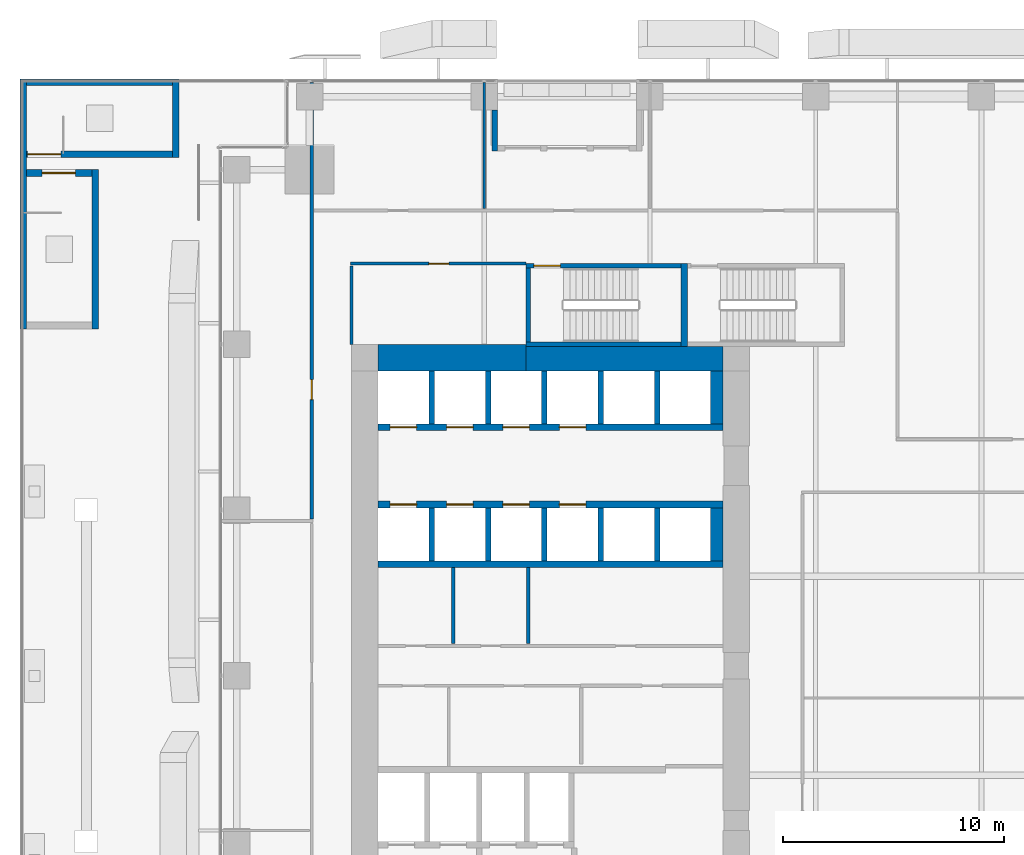
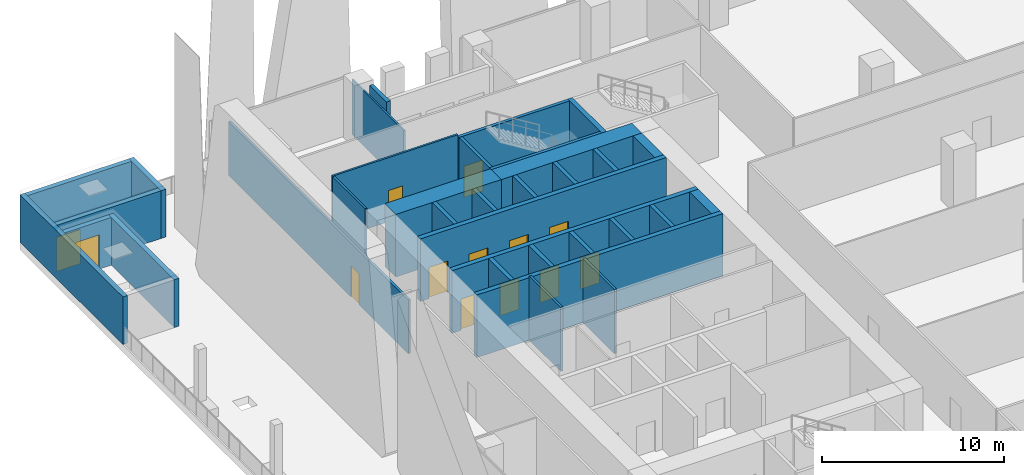
# One storey, part 37 of 46: 34 walls, 13 doors, 13 openings.
"""IFC4 building model written with IfcOpenShell, lengths in metres."""

from ifc_helpers import new_model, si_unit, direction, frame, frame_2d, origin, place, context, subcontext, project, spatial, rectangle, extrude, source, transform, mapped, material, layer, layer_set, type_object, element, fill, save


model = new_model("IFC4")

# Units and contexts
model_context = context("Model", 3, precision=1e-05, world=origin(), true_north=direction((0.0, 1.0)))
body_context = subcontext(model_context, "Body", "Model", "MODEL_VIEW")
ifc_project = project(units=[si_unit("LENGTHUNIT", "METRE"), si_unit("AREAUNIT", "SQUARE_METRE"), si_unit("VOLUMEUNIT", "CUBIC_METRE"), si_unit("PLANEANGLEUNIT", "RADIAN"), si_unit("MASSUNIT", "GRAM", prefix="KILO")], contexts=[model_context])

# Site, building, storey
site_placement = place(None, origin())
site = spatial("IfcSite", under=ifc_project, at=site_placement, CompositionType="ELEMENT")
building_placement = place(site_placement, origin())
building = spatial("IfcBuilding", under=site, at=building_placement, Name="Khomas Fold Tower", CompositionType="ELEMENT")
storey_placement = place(building_placement, frame((0.0, 0.0, 33.0)))
storey = spatial("IfcBuildingStorey", under=building, at=storey_placement, Name="L06", CompositionType="ELEMENT", Elevation=33.0)

# Walls
ifc_material_1 = material(Name="Concrete C70/85", Category="concrete")
ifc_layer_1 = layer(ifc_material_1, 1.199951171875)
ifc_layer_set_1 = layer_set([ifc_layer_1], Name="Concrete C70/85")
wall_type_1 = type_object("IfcWallType", Name="Core wall 1200", PredefinedType="SHEAR", material=ifc_layer_set_1)
shared_shape_1 = source(origin(), body_context, "Body", "SweptSolid", [
    extrude(rectangle(XDim=6.699951171875, YDim=1.199951171875, at=frame_2d((3.35009765625, 0.0))), origin(), (0.0, 0.0, 1.0), 4.199951171875),
])
wall_1_placement = place(storey_placement, frame((7.199951171875, 41.39990234375, 0.0), z_axis=(0.0, 0.0, 1.0), x_axis=(1.0, 0.0, 0.0)))
element("IfcWall", 1, at=wall_1_placement, inside=storey, type_object=wall_type_1, Name="Core wall CW-L-N-B2", PredefinedType="SHEAR", context=body_context, shape_type="MappedRepresentation", body=[
    mapped(shared_shape_1, transform((0.0, 0.0, 0.0))),
])
ifc_material_2 = material(Name="Concrete C70/85", Category="concrete")
ifc_layer_2 = layer(ifc_material_2, 1.10009765625)
ifc_layer_set_2 = layer_set([ifc_layer_2], Name="Concrete C70/85")
wall_type_2 = type_object("IfcWallType", Name="Core wall 1100", PredefinedType="SHEAR", material=ifc_layer_set_2)
shared_shape_2 = source(origin(), body_context, "Body", "SweptSolid", [
    extrude(rectangle(XDim=8.900146484375, YDim=1.10009765625, at=frame_2d((4.4501953125, 0.0))), origin(), (0.0, 0.0, 1.0), 4.199951171875),
])
wall_2_placement = place(storey_placement, frame((13.89990234375, 41.35009765625, 0.0), z_axis=(0.0, 0.0, 1.0), x_axis=(1.0, 0.0, 0.0)))
element("IfcWall", 2, at=wall_2_placement, inside=storey, type_object=wall_type_2, Name="Core wall CW-L-N-B2-1", PredefinedType="SHEAR", context=body_context, shape_type="MappedRepresentation", body=[
    mapped(shared_shape_2, transform((0.0, 0.0, 0.0))),
])

# Wall, opening, door
ifc_material_3 = material(Name="Concrete C50/60", Category="concrete")
ifc_layer_3 = layer(ifc_material_3, 0.199951171875)
ifc_layer_set_3 = layer_set([ifc_layer_3], Name="Concrete C50/60")
wall_type_3 = type_object("IfcWallType", Name="Stair wall 200", PredefinedType="SHEAR", material=ifc_layer_set_3)
shared_shape_3 = source(origin(), body_context, "Body", "SweptSolid", [
    extrude(rectangle(XDim=7.0, YDim=0.199951171875, at=frame_2d((3.5, 0.0))), origin(), (0.0, 0.0, 1.0), 4.199951171875),
])
wall_3_placement = place(storey_placement, frame((13.89990234375, 45.550048828125, 0.0), z_axis=(0.0, 0.0, 1.0), x_axis=(1.0, 0.0, 0.0)))
wall_3 = element("IfcWall", 3, at=wall_3_placement, inside=storey, type_object=wall_type_3, Name="Stair wall SW-ST1-N", PredefinedType="SHEAR", context=body_context, shape_type="MappedRepresentation", body=[
    mapped(shared_shape_3, transform((0.0, 0.0, 0.0))),
])
shared_shape_4 = source(origin(), body_context, "Body", "SweptSolid", [
    extrude(rectangle(XDim=1.199951171875, YDim=2.10009765625, at=frame_2d((0.60009765625, 1.050048828125))), frame((0.0, 0.10986328125, 0.0), z_axis=(0.0, -1.0, 0.0), x_axis=(1.0, 0.0, 0.0)), (0.0, 0.0, 1.0), 0.219970703125),
])
opening_1_placement = place(wall_3_placement, frame((0.35009765625, 0.0, 0.0)))
opening_1 = element("IfcOpeningElement", 4, at=opening_1_placement, cuts=wall_3, Name="Opening SD-ST1", PredefinedType="OPENING", context=body_context, shape_type="MappedRepresentation", body=[
    mapped(shared_shape_4, transform((0.0, 0.0, 0.0))),
])
ifc_material_4 = material(Name="Steel door leaf", Category="steel")
door_type_1 = type_object("IfcDoorType", Name="Stair door 1200x2100 left-hand", OperationType="SINGLE_SWING_LEFT", PredefinedType="DOOR", material=ifc_material_4)
shared_shape_5 = source(origin(), body_context, "Body", "SweptSolid", [
    extrude(rectangle(XDim=1.199951171875, YDim=2.10009765625, at=frame_2d((0.60009765625, 1.050048828125))), frame((0.0, 0.02490234375, 0.0), z_axis=(0.0, -1.0, 0.0), x_axis=(1.0, 0.0, 0.0)), (0.0, 0.0, 1.0), 0.050048828125),
])
door_1_placement = place(opening_1_placement, origin())
door_1 = element("IfcDoor", 5, at=door_1_placement, inside=storey, type_object=door_type_1, Name="Stair door", OperationType="SINGLE_SWING_LEFT", OverallHeight=2.10009765625, OverallWidth=1.199951171875, PredefinedType="DOOR", context=body_context, shape_type="MappedRepresentation", body=[
    mapped(shared_shape_5, transform((0.0, 0.0, 0.0))),
])
fill(opening_1, door_1)

# Walls
wall_4_placement = place(storey_placement, frame((13.89990234375, 42.0, 0.0), z_axis=(0.0, 0.0, 1.0), x_axis=(1.0, 0.0, 0.0)))
element("IfcWall", 6, at=wall_4_placement, inside=storey, type_object=wall_type_3, Name="Stair wall SW-ST1-S", PredefinedType="SHEAR", context=body_context, shape_type="MappedRepresentation", body=[
    mapped(shared_shape_3, transform((0.0, 0.0, 0.0))),
])
ifc_material_5 = material(Name="Concrete C50/60", Category="concrete")
ifc_layer_4 = layer(ifc_material_5, 0.300048828125)
ifc_layer_set_4 = layer_set([ifc_layer_4], Name="Concrete C50/60")
wall_type_4 = type_object("IfcWallType", Name="Stair wall 300", PredefinedType="SHEAR", material=ifc_layer_set_4)
shared_shape_6 = source(origin(), body_context, "Body", "SweptSolid", [
    extrude(rectangle(XDim=3.75, YDim=0.300048828125, at=frame_2d((1.875, 0.0))), origin(), (0.0, 0.0, 1.0), 4.199951171875),
])
wall_5_placement = place(storey_placement, frame((21.050048828125, 41.89990234375, 0.0), z_axis=(0.0, 0.0, 1.0), x_axis=(0.0, 1.0, 0.0)))
element("IfcWall", 7, at=wall_5_placement, inside=storey, type_object=wall_type_4, Name="Stair wall SW-ST1-E", PredefinedType="SHEAR", context=body_context, shape_type="MappedRepresentation", body=[
    mapped(shared_shape_6, transform((0.0, 0.0, 0.0))),
])
shared_shape_7 = source(origin(), body_context, "Body", "SweptSolid", [
    extrude(rectangle(XDim=3.349853515625, YDim=0.199951171875, at=frame_2d((1.6748046875, 0.0))), origin(), (0.0, 0.0, 1.0), 4.199951171875),
])
wall_6_placement = place(storey_placement, frame((14.0, 42.10009765625, 0.0), z_axis=(0.0, 0.0, 1.0), x_axis=(0.0, 1.0, 0.0)))
element("IfcWall", 8, at=wall_6_placement, inside=storey, type_object=wall_type_3, Name="Stair wall SW-ST1-W", PredefinedType="SHEAR", context=body_context, shape_type="MappedRepresentation", body=[
    mapped(shared_shape_7, transform((0.0, 0.0, 0.0))),
])
ifc_material_6 = material(Name="Concrete C50/60", Category="concrete")
ifc_layer_5 = layer(ifc_material_6, 0.300048828125)
ifc_layer_set_5 = layer_set([ifc_layer_5], Name="Concrete C50/60")
wall_type_5 = type_object("IfcWallType", Name="Shaft wall 300", PredefinedType="STANDARD", material=ifc_layer_set_5)
shared_shape_8 = source(origin(), body_context, "Body", "SweptSolid", [
    extrude(rectangle(XDim=15.60009765625, YDim=0.300048828125, at=frame_2d((7.800048828125, 0.0))), origin(), (0.0, 0.0, 1.0), 4.199951171875),
])
wall_7_placement = place(storey_placement, frame((7.199951171875, 32.050048828125, 0.0), z_axis=(0.0, 0.0, 1.0), x_axis=(1.0, 0.0, 0.0)))
element("IfcWall", 9, at=wall_7_placement, inside=storey, type_object=wall_type_5, Name="Core wall SW-HRN-B", PredefinedType="STANDARD", context=body_context, shape_type="MappedRepresentation", body=[
    mapped(shared_shape_8, transform((0.0, 0.0, 0.0))),
])

# Wall, openings, doors
wall_8_placement = place(storey_placement, frame((7.199951171875, 38.25, 0.0), z_axis=(0.0, 0.0, 1.0), x_axis=(1.0, 0.0, 0.0)))
wall_8 = element("IfcWall", 10, at=wall_8_placement, inside=storey, type_object=wall_type_5, Name="Core wall SW-LRN-F", PredefinedType="STANDARD", context=body_context, shape_type="MappedRepresentation", body=[
    mapped(shared_shape_8, transform((0.0, 0.0, 0.0))),
])
shared_shape_9 = source(origin(), body_context, "Body", "SweptSolid", [
    extrude(rectangle(XDim=1.199951171875, YDim=2.10009765625, at=frame_2d((0.60009765625, 1.050048828125))), frame((0.0, 0.159912109375, 0.0), z_axis=(0.0, -1.0, 0.0), x_axis=(1.0, 0.0, 0.0)), (0.0, 0.0, 1.0), 0.320068359375),
])
opening_2_placement = place(wall_8_placement, frame((0.550048828125, 0.0, 0.0)))
opening_2 = element("IfcOpeningElement", 11, at=opening_2_placement, cuts=wall_8, Name="Opening LD-LR5", PredefinedType="OPENING", context=body_context, shape_type="MappedRepresentation", body=[
    mapped(shared_shape_9, transform((0.0, 0.0, 0.0))),
])
opening_3_placement = place(wall_8_placement, frame((3.10009765625, 0.0, 0.0)))
opening_3 = element("IfcOpeningElement", 12, at=opening_3_placement, cuts=wall_8, Name="Opening LD-LR6", PredefinedType="OPENING", context=body_context, shape_type="MappedRepresentation", body=[
    mapped(shared_shape_9, transform((0.0, 0.0, 0.0))),
])
opening_4_placement = place(wall_8_placement, frame((5.64990234375, 0.0, 0.0)))
opening_4 = element("IfcOpeningElement", 13, at=opening_4_placement, cuts=wall_8, Name="Opening LD-LR7", PredefinedType="OPENING", context=body_context, shape_type="MappedRepresentation", body=[
    mapped(shared_shape_9, transform((0.0, 0.0, 0.0))),
])
opening_5_placement = place(wall_8_placement, frame((8.199951171875, 0.0, 0.0)))
opening_5 = element("IfcOpeningElement", 14, at=opening_5_placement, cuts=wall_8, Name="Opening LD-LR8", PredefinedType="OPENING", context=body_context, shape_type="MappedRepresentation", body=[
    mapped(shared_shape_9, transform((0.0, 0.0, 0.0))),
])
ifc_material_7 = material(Name="Steel door leaf", Category="steel")
door_type_2 = type_object("IfcDoorType", Name="Landing door 1200x2100", OperationType="DOUBLE_DOOR_SLIDING", PredefinedType="DOOR", material=ifc_material_7)
door_2_placement = place(opening_2_placement, origin())
door_2 = element("IfcDoor", 15, at=door_2_placement, inside=storey, type_object=door_type_2, Name="Lift landing door", OperationType="DOUBLE_DOOR_SLIDING", OverallHeight=2.10009765625, OverallWidth=1.199951171875, PredefinedType="DOOR", context=body_context, shape_type="MappedRepresentation", body=[
    mapped(shared_shape_5, transform((0.0, 0.0, 0.0))),
])
fill(opening_2, door_2)
door_3_placement = place(opening_3_placement, origin())
door_3 = element("IfcDoor", 16, at=door_3_placement, inside=storey, type_object=door_type_2, Name="Lift landing door", OperationType="DOUBLE_DOOR_SLIDING", OverallHeight=2.10009765625, OverallWidth=1.199951171875, PredefinedType="DOOR", context=body_context, shape_type="MappedRepresentation", body=[
    mapped(shared_shape_5, transform((0.0, 0.0, 0.0))),
])
fill(opening_3, door_3)
door_4_placement = place(opening_4_placement, origin())
door_4 = element("IfcDoor", 17, at=door_4_placement, inside=storey, type_object=door_type_2, Name="Lift landing door", OperationType="DOUBLE_DOOR_SLIDING", OverallHeight=2.10009765625, OverallWidth=1.199951171875, PredefinedType="DOOR", context=body_context, shape_type="MappedRepresentation", body=[
    mapped(shared_shape_5, transform((0.0, 0.0, 0.0))),
])
fill(opening_4, door_4)
door_5_placement = place(opening_5_placement, origin())
door_5 = element("IfcDoor", 18, at=door_5_placement, inside=storey, type_object=door_type_2, Name="Lift landing door", OperationType="DOUBLE_DOOR_SLIDING", OverallHeight=2.10009765625, OverallWidth=1.199951171875, PredefinedType="DOOR", context=body_context, shape_type="MappedRepresentation", body=[
    mapped(shared_shape_5, transform((0.0, 0.0, 0.0))),
])
fill(opening_5, door_5)

wall_9_placement = place(storey_placement, frame((7.199951171875, 34.75, 0.0), z_axis=(0.0, 0.0, 1.0), x_axis=(1.0, 0.0, 0.0)))
wall_9 = element("IfcWall", 19, at=wall_9_placement, inside=storey, type_object=wall_type_5, Name="Core wall SW-LRS-F", PredefinedType="STANDARD", context=body_context, shape_type="MappedRepresentation", body=[
    mapped(shared_shape_8, transform((0.0, 0.0, 0.0))),
])
opening_6_placement = place(wall_9_placement, frame((0.550048828125, 0.0, 0.0)))
opening_6 = element("IfcOpeningElement", 20, at=opening_6_placement, cuts=wall_9, Name="Opening LD-LR1", PredefinedType="OPENING", context=body_context, shape_type="MappedRepresentation", body=[
    mapped(shared_shape_9, transform((0.0, 0.0, 0.0))),
])
opening_7_placement = place(wall_9_placement, frame((3.10009765625, 0.0, 0.0)))
opening_7 = element("IfcOpeningElement", 21, at=opening_7_placement, cuts=wall_9, Name="Opening LD-LR2", PredefinedType="OPENING", context=body_context, shape_type="MappedRepresentation", body=[
    mapped(shared_shape_9, transform((0.0, 0.0, 0.0))),
])
opening_8_placement = place(wall_9_placement, frame((5.64990234375, 0.0, 0.0)))
opening_8 = element("IfcOpeningElement", 22, at=opening_8_placement, cuts=wall_9, Name="Opening LD-LR3", PredefinedType="OPENING", context=body_context, shape_type="MappedRepresentation", body=[
    mapped(shared_shape_9, transform((0.0, 0.0, 0.0))),
])
opening_9_placement = place(wall_9_placement, frame((8.199951171875, 0.0, 0.0)))
opening_9 = element("IfcOpeningElement", 23, at=opening_9_placement, cuts=wall_9, Name="Opening LD-LR4", PredefinedType="OPENING", context=body_context, shape_type="MappedRepresentation", body=[
    mapped(shared_shape_9, transform((0.0, 0.0, 0.0))),
])
door_6_placement = place(opening_6_placement, origin())
door_6 = element("IfcDoor", 24, at=door_6_placement, inside=storey, type_object=door_type_2, Name="Lift landing door", OperationType="DOUBLE_DOOR_SLIDING", OverallHeight=2.10009765625, OverallWidth=1.199951171875, PredefinedType="DOOR", context=body_context, shape_type="MappedRepresentation", body=[
    mapped(shared_shape_5, transform((0.0, 0.0, 0.0))),
])
fill(opening_6, door_6)
door_7_placement = place(opening_7_placement, origin())
door_7 = element("IfcDoor", 25, at=door_7_placement, inside=storey, type_object=door_type_2, Name="Lift landing door", OperationType="DOUBLE_DOOR_SLIDING", OverallHeight=2.10009765625, OverallWidth=1.199951171875, PredefinedType="DOOR", context=body_context, shape_type="MappedRepresentation", body=[
    mapped(shared_shape_5, transform((0.0, 0.0, 0.0))),
])
fill(opening_7, door_7)
door_8_placement = place(opening_8_placement, origin())
door_8 = element("IfcDoor", 26, at=door_8_placement, inside=storey, type_object=door_type_2, Name="Lift landing door", OperationType="DOUBLE_DOOR_SLIDING", OverallHeight=2.10009765625, OverallWidth=1.199951171875, PredefinedType="DOOR", context=body_context, shape_type="MappedRepresentation", body=[
    mapped(shared_shape_5, transform((0.0, 0.0, 0.0))),
])
fill(opening_8, door_8)
door_9_placement = place(opening_9_placement, origin())
door_9 = element("IfcDoor", 27, at=door_9_placement, inside=storey, type_object=door_type_2, Name="Lift landing door", OperationType="DOUBLE_DOOR_SLIDING", OverallHeight=2.10009765625, OverallWidth=1.199951171875, PredefinedType="DOOR", context=body_context, shape_type="MappedRepresentation", body=[
    mapped(shared_shape_5, transform((0.0, 0.0, 0.0))),
])
fill(opening_9, door_9)

# Walls
ifc_material_8 = material(Name="Concrete C50/60", Category="concrete")
ifc_layer_6 = layer(ifc_material_8, 0.25)
ifc_layer_set_6 = layer_set([ifc_layer_6], Name="Concrete C50/60")
wall_type_6 = type_object("IfcWallType", Name="Shaft wall 250", PredefinedType="STANDARD", material=ifc_layer_set_6)
shared_shape_10 = source(origin(), body_context, "Body", "SweptSolid", [
    extrude(rectangle(XDim=2.400146484375, YDim=0.25, at=frame_2d((1.2001953125, 0.0))), origin(), (0.0, 0.0, 1.0), 4.199951171875),
])
for number, where, z_axis, x_axis, name in (
    (28, (9.625, 38.39990234375, 0.0), (0.0, 0.0, 1.0), (0.0, 1.0, 0.0), "Core wall SW-LRN-P1"),
    (29, (12.175048828125, 38.39990234375, 0.0), (0.0, 0.0, 1.0), (0.0, 1.0, 0.0), "Core wall SW-LRN-P2"),
    (30, (14.72509765625, 38.39990234375, 0.0), (0.0, 0.0, 1.0), (0.0, 1.0, 0.0), "Core wall SW-LRN-P3"),
    (31, (17.27490234375, 38.39990234375, 0.0), (0.0, 0.0, 1.0), (0.0, 1.0, 0.0), "Core wall SW-LRN-P4"),
    (32, (19.824951171875, 38.39990234375, 0.0), (0.0, 0.0, 1.0), (0.0, 1.0, 0.0), "Core wall SW-LRN-P5"),
    (33, (9.625, 32.199951171875, 0.0), (0.0, 0.0, 1.0), (0.0, 1.0, 0.0), "Core wall SW-LRS-P1"),
    (34, (12.175048828125, 32.199951171875, 0.0), (0.0, 0.0, 1.0), (0.0, 1.0, 0.0), "Core wall SW-LRS-P2"),
    (35, (14.72509765625, 32.199951171875, 0.0), (0.0, 0.0, 1.0), (0.0, 1.0, 0.0), "Core wall SW-LRS-P3"),
    (36, (17.27490234375, 32.199951171875, 0.0), (0.0, 0.0, 1.0), (0.0, 1.0, 0.0), "Core wall SW-LRS-P4"),
    (37, (19.824951171875, 32.199951171875, 0.0), (0.0, 0.0, 1.0), (0.0, 1.0, 0.0), "Core wall SW-LRS-P5"),
):
    element("IfcWall", number, at=place(storey_placement, frame(where, z_axis=z_axis, x_axis=x_axis)), inside=storey, type_object=wall_type_6, Name=name, PredefinedType="STANDARD", context=body_context, shape_type="MappedRepresentation", body=[
        mapped(shared_shape_10, transform((0.0, 0.0, 0.0))),
    ])
ifc_material_9 = material(Name="Concrete C50/60", Category="concrete")
ifc_layer_7 = layer(ifc_material_9, 0.550048828125)
ifc_layer_set_7 = layer_set([ifc_layer_7], Name="Concrete C50/60")
wall_type_7 = type_object("IfcWallType", Name="Shaft wall 550", PredefinedType="STANDARD", material=ifc_layer_set_7)
shared_shape_11 = source(origin(), body_context, "Body", "SweptSolid", [
    extrude(rectangle(XDim=2.400146484375, YDim=0.550048828125, at=frame_2d((1.2001953125, 0.0))), origin(), (0.0, 0.0, 1.0), 4.199951171875),
])
for number, where, z_axis, x_axis, name in (
    (38, (22.52490234375, 38.39990234375, 0.0), (0.0, 0.0, 1.0), (0.0, 1.0, 0.0), "Core wall SW-LRN-PE"),
    (39, (22.52490234375, 32.199951171875, 0.0), (0.0, 0.0, 1.0), (0.0, 1.0, 0.0), "Core wall SW-LRS-PE"),
):
    element("IfcWall", number, at=place(storey_placement, frame(where, z_axis=z_axis, x_axis=x_axis)), inside=storey, type_object=wall_type_7, Name=name, PredefinedType="STANDARD", context=body_context, shape_type="MappedRepresentation", body=[
        mapped(shared_shape_11, transform((0.0, 0.0, 0.0))),
    ])
ifc_material_10 = material(Name="Natural stone", Category="masonry")
ifc_layer_8 = layer(ifc_material_10, 0.0400390625)
ifc_material_11 = material(Name="Mineral wool insulation", Category="insulation")
ifc_layer_9 = layer(ifc_material_11, 0.10009765625)
ifc_material_12 = material(Name="Masonry", Category="masonry")
ifc_layer_10 = layer(ifc_material_12, 0.110107421875)
ifc_layer_set_8 = layer_set([ifc_layer_8, ifc_layer_9, ifc_layer_10], Name="Stone-faced insulated masonry")
wall_type_8 = type_object("IfcWallType", Name="BL-Balcony wall", PredefinedType="SOLIDWALL", material=ifc_layer_set_8)
shared_shape_12 = source(origin(), body_context, "Body", "SweptSolid", [
    extrude(rectangle(XDim=1.85009765625, YDim=0.25, at=frame_2d((0.925048828125, 0.0))), origin(), (0.0, 0.0, 1.0), 3.89990234375),
])
wall_10_placement = place(storey_placement, frame((12.47509765625, 52.60009765625, 0.0), z_axis=(0.0, 0.0, 1.0), x_axis=(0.0, -1.0, 0.0)))
element("IfcWall", 40, at=wall_10_placement, inside=storey, type_object=wall_type_8, Name="Balcony return wall BAL-L06-N1-lo", PredefinedType="SOLIDWALL", context=body_context, shape_type="MappedRepresentation", body=[
    mapped(shared_shape_12, transform((0.0, 0.0, 0.0))),
])

# Wall, opening, door
ifc_material_13 = material(Name="Concrete C40/50", Category="concrete")
ifc_layer_11 = layer(ifc_material_13, 0.300048828125)
ifc_layer_set_9 = layer_set([ifc_layer_11], Name="Concrete C40/50")
wall_type_9 = type_object("IfcWallType", Name="Stair head house wall PD-HW", PredefinedType="SOLIDWALL", material=ifc_layer_set_9)
shared_shape_13 = source(origin(), body_context, "Body", "SweptSolid", [
    extrude(rectangle(XDim=6.599853515625, YDim=0.300048828125, at=frame_2d((3.2998046875, 0.0))), origin(), (0.0, 0.0, 1.0), 3.199951171875),
])
wall_11_placement = place(storey_placement, frame((-8.699951171875, 50.60009765625, 0.0), z_axis=(0.0, 0.0, 1.0), x_axis=(1.0, 0.0, 0.0)))
wall_11 = element("IfcWall", 41, at=wall_11_placement, inside=storey, type_object=wall_type_9, Name="Stair head house wall", PredefinedType="SOLIDWALL", context=body_context, shape_type="MappedRepresentation", body=[
    mapped(shared_shape_13, transform((0.0, 0.0, 0.0))),
])
shared_shape_14 = source(origin(), body_context, "Body", "SweptSolid", [
    extrude(rectangle(XDim=1.5, YDim=2.300048828125, at=frame_2d((0.75, 1.14990234375))), frame((0.0, 0.159912109375, 0.0), z_axis=(0.0, -1.0, 0.0), x_axis=(1.0, 0.0, 0.0)), (0.0, 0.0, 1.0), 0.320068359375),
])
opening_10_placement = place(wall_11_placement, frame((0.050048828125, 0.0, 0.0)))
opening_10 = element("IfcOpeningElement", 42, at=opening_10_placement, cuts=wall_11, Name="Opening R-PS7", PredefinedType="OPENING", context=body_context, shape_type="MappedRepresentation", body=[
    mapped(shared_shape_14, transform((0.0, 0.0, 0.0))),
])
ifc_material_14 = material(Name="Aluminium framed glazing", Category="aluminium")
door_type_3 = type_object("IfcDoorType", Name="Roof garden door 1700 x 2300", OperationType="DOUBLE_DOOR_SINGLE_SWING", PredefinedType="DOOR", material=ifc_material_14)
shared_shape_15 = source(origin(), body_context, "Body", "SweptSolid", [
    extrude(rectangle(XDim=1.5, YDim=2.300048828125, at=frame_2d((0.75, 1.14990234375))), frame((0.0, 0.02490234375, 0.0), z_axis=(0.0, -1.0, 0.0), x_axis=(1.0, 0.0, 0.0)), (0.0, 0.0, 1.0), 0.050048828125),
])
door_10_placement = place(opening_10_placement, origin())
door_10 = element("IfcDoor", 43, at=door_10_placement, inside=storey, type_object=door_type_3, Name="Roof exit PS7", OperationType="DOUBLE_DOOR_SINGLE_SWING", OverallHeight=2.300048828125, OverallWidth=1.5, PredefinedType="DOOR", context=body_context, shape_type="MappedRepresentation", body=[
    mapped(shared_shape_15, transform((0.0, 0.0, 0.0))),
])
fill(opening_10, door_10)

# Walls
wall_12_placement = place(storey_placement, frame((-2.10009765625, 53.85009765625, 0.0), z_axis=(0.0, 0.0, 1.0), x_axis=(-1.0, 0.0, 0.0)))
element("IfcWall", 44, at=wall_12_placement, inside=storey, type_object=wall_type_9, Name="Stair head house wall", PredefinedType="SOLIDWALL", context=body_context, shape_type="MappedRepresentation", body=[
    mapped(shared_shape_13, transform((0.0, 0.0, 0.0))),
])
shared_shape_16 = source(origin(), body_context, "Body", "SweptSolid", [
    extrude(rectangle(XDim=3.550048828125, YDim=0.300048828125, at=frame_2d((1.77490234375, 0.0))), origin(), (0.0, 0.0, 1.0), 3.199951171875),
])
wall_13_placement = place(storey_placement, frame((-1.949951171875, 50.449951171875, 0.0), z_axis=(0.0, 0.0, 1.0), x_axis=(0.0, 1.0, 0.0)))
element("IfcWall", 45, at=wall_13_placement, inside=storey, type_object=wall_type_9, Name="Stair head house wall", PredefinedType="SOLIDWALL", context=body_context, shape_type="MappedRepresentation", body=[
    mapped(shared_shape_16, transform((0.0, 0.0, 0.0))),
])
shared_shape_17 = source(origin(), body_context, "Body", "SweptSolid", [
    extrude(rectangle(XDim=11.300048828125, YDim=0.300048828125, at=frame_2d((5.64990234375, 0.0))), origin(), (0.0, 0.0, 1.0), 3.199951171875),
])
wall_14_placement = place(storey_placement, frame((-8.85009765625, 54.0, 0.0), z_axis=(0.0, 0.0, 1.0), x_axis=(0.0, -1.0, 0.0)))
element("IfcWall", 46, at=wall_14_placement, inside=storey, type_object=wall_type_9, Name="Stair head house wall", PredefinedType="SOLIDWALL", context=body_context, shape_type="MappedRepresentation", body=[
    mapped(shared_shape_17, transform((0.0, 0.0, 0.0))),
])

# Wall, opening, door
shared_shape_18 = source(origin(), body_context, "Body", "SweptSolid", [
    extrude(rectangle(XDim=2.949951171875, YDim=0.300048828125, at=frame_2d((1.47509765625, 0.0))), origin(), (0.0, 0.0, 1.0), 3.199951171875),
])
wall_15_placement = place(storey_placement, frame((-5.75, 49.75, 0.0), z_axis=(0.0, 0.0, 1.0), x_axis=(-1.0, 0.0, 0.0)))
wall_15 = element("IfcWall", 47, at=wall_15_placement, inside=storey, type_object=wall_type_9, Name="Stair head house wall", PredefinedType="SOLIDWALL", context=body_context, shape_type="MappedRepresentation", body=[
    mapped(shared_shape_18, transform((0.0, 0.0, 0.0))),
])
opening_11_placement = place(wall_15_placement, frame((2.25, 0.0, 0.0), z_axis=(0.0, 0.0, 1.0), x_axis=(-1.0, 0.0, 0.0)))
opening_11 = element("IfcOpeningElement", 48, at=opening_11_placement, cuts=wall_15, Name="Opening R-PS8", PredefinedType="OPENING", context=body_context, shape_type="MappedRepresentation", body=[
    mapped(shared_shape_14, transform((0.0, 0.0, 0.0))),
])
door_11_placement = place(opening_11_placement, origin())
door_11 = element("IfcDoor", 49, at=door_11_placement, inside=storey, type_object=door_type_3, Name="Roof exit PS8", OperationType="DOUBLE_DOOR_SINGLE_SWING", OverallHeight=2.300048828125, OverallWidth=1.5, PredefinedType="DOOR", context=body_context, shape_type="MappedRepresentation", body=[
    mapped(shared_shape_15, transform((0.0, 0.0, 0.0))),
])
fill(opening_11, door_11)

# Walls
shared_shape_19 = source(origin(), body_context, "Body", "SweptSolid", [
    extrude(rectangle(XDim=7.199951171875, YDim=0.300048828125, at=frame_2d((3.60009765625, 0.0))), origin(), (0.0, 0.0, 1.0), 3.199951171875),
])
wall_16_placement = place(storey_placement, frame((-5.60009765625, 42.699951171875, 0.0), z_axis=(0.0, 0.0, 1.0), x_axis=(0.0, 1.0, 0.0)))
element("IfcWall", 50, at=wall_16_placement, inside=storey, type_object=wall_type_9, Name="Stair head house wall", PredefinedType="SOLIDWALL", context=body_context, shape_type="MappedRepresentation", body=[
    mapped(shared_shape_19, transform((0.0, 0.0, 0.0))),
])
ifc_material_15 = material(Name="Plasterboard fire partition")
ifc_layer_12 = layer(ifc_material_15, 0.14990234375)
ifc_layer_set_10 = layer_set([ifc_layer_12], Name="Plasterboard fire partition")
wall_type_10 = type_object("IfcWallType", Name="Plant room wall PW3 150", PredefinedType="PARTITIONING", material=ifc_layer_set_10)
shared_shape_20 = source(origin(), body_context, "Body", "SweptSolid", [
    extrude(rectangle(XDim=3.449951171875, YDim=0.14990234375, at=frame_2d((1.72509765625, 0.0))), origin(), (0.0, 0.0, 1.0), 4.300048828125),
])
for number, where, z_axis, x_axis, name in (
    (51, (10.60009765625, 28.449951171875, 0.0), (0.0, 0.0, 1.0), (0.0, 1.0, 0.0), "Plant room wall"),
    (52, (14.0, 28.449951171875, 0.0), (0.0, 0.0, 1.0), (0.0, 1.0, 0.0), "Plant room wall"),
):
    element("IfcWall", number, at=place(storey_placement, frame(where, z_axis=z_axis, x_axis=x_axis)), inside=storey, type_object=wall_type_10, Name=name, PredefinedType="PARTITIONING", context=body_context, shape_type="MappedRepresentation", body=[
        mapped(shared_shape_20, transform((0.0, 0.0, 0.0))),
    ])

# Wall, opening, door
shared_shape_21 = source(origin(), body_context, "Body", "SweptSolid", [
    extrude(rectangle(XDim=19.75, YDim=0.14990234375, at=frame_2d((9.875, 0.0))), origin(), (0.0, 0.0, 1.0), 3.60009765625),
])
wall_17_placement = place(storey_placement, frame((4.199951171875, 34.10009765625, 0.0), z_axis=(0.0, 0.0, 1.0), x_axis=(0.0, 1.0, 0.0)))
wall_17 = element("IfcWall", 53, at=wall_17_placement, inside=storey, type_object=wall_type_10, Name="Plant room wall", PredefinedType="PARTITIONING", context=body_context, shape_type="MappedRepresentation", body=[
    mapped(shared_shape_21, transform((0.0, 0.0, 0.0))),
])
shared_shape_22 = source(origin(), body_context, "Body", "SweptSolid", [
    extrude(rectangle(XDim=0.89990234375, YDim=2.10009765625, at=frame_2d((0.449951171875, 1.050048828125))), frame((0.0, 0.0849609375, 0.0), z_axis=(0.0, -1.0, 0.0), x_axis=(1.0, 0.0, 0.0)), (0.0, 0.0, 1.0), 0.169921875),
])
opening_12_placement = place(wall_17_placement, frame((5.39990234375, 0.0, 0.0)))
opening_12 = element("IfcOpeningElement", 54, at=opening_12_placement, cuts=wall_17, Name="Opening 0002", PredefinedType="OPENING", context=body_context, shape_type="MappedRepresentation", body=[
    mapped(shared_shape_22, transform((0.0, 0.0, 0.0))),
])
ifc_material_16 = material(Name="Steel door leaf", Category="steel")
door_type_4 = type_object("IfcDoorType", Name="Plant room door 900x2100 left-hand", OperationType="SINGLE_SWING_LEFT", PredefinedType="DOOR", material=ifc_material_16)
shared_shape_23 = source(origin(), body_context, "Body", "SweptSolid", [
    extrude(rectangle(XDim=0.89990234375, YDim=2.10009765625, at=frame_2d((0.449951171875, 1.050048828125))), frame((0.0, 0.02490234375, 0.0), z_axis=(0.0, -1.0, 0.0), x_axis=(1.0, 0.0, 0.0)), (0.0, 0.0, 1.0), 0.050048828125),
])
door_12_placement = place(opening_12_placement, origin())
door_12 = element("IfcDoor", 55, at=door_12_placement, inside=storey, type_object=door_type_4, Name="Plant room door", OperationType="SINGLE_SWING_LEFT", OverallHeight=2.10009765625, OverallWidth=0.89990234375, PredefinedType="DOOR", context=body_context, shape_type="MappedRepresentation", body=[
    mapped(shared_shape_23, transform((0.0, 0.0, 0.0))),
])
fill(opening_12, door_12)

# Wall
ifc_material_17 = material(Name="Plasterboard partition")
ifc_layer_13 = layer(ifc_material_17, 0.125)
ifc_layer_set_11 = layer_set([ifc_layer_13], Name="Plasterboard partition")
wall_type_11 = type_object("IfcWallType", Name="Partition PW2 125", PredefinedType="PARTITIONING", material=ifc_layer_set_11)
shared_shape_24 = source(origin(), body_context, "Body", "SweptSolid", [
    extrude(rectangle(XDim=3.550048828125, YDim=0.125, at=frame_2d((1.77490234375, 0.0))), origin(), (0.0, 0.0, 1.0), 4.300048828125),
])
wall_18_placement = place(storey_placement, frame((6.0, 42.0, 0.0), z_axis=(0.0, 0.0, 1.0), x_axis=(0.0, 1.0, 0.0)))
element("IfcWall", 56, at=wall_18_placement, inside=storey, type_object=wall_type_11, Name="Partition", PredefinedType="PARTITIONING", context=body_context, shape_type="MappedRepresentation", body=[
    mapped(shared_shape_24, transform((0.0, 0.0, 0.0))),
])

# Wall, opening, door
shared_shape_25 = source(origin(), body_context, "Body", "SweptSolid", [
    extrude(rectangle(XDim=7.949951171875, YDim=0.125, at=frame_2d((3.97509765625, 0.0))), origin(), (0.0, 0.0, 1.0), 4.300048828125),
])
wall_19_placement = place(storey_placement, frame((5.949951171875, 45.64990234375, 0.0), z_axis=(0.0, 0.0, 1.0), x_axis=(1.0, 0.0, 0.0)))
wall_19 = element("IfcWall", 57, at=wall_19_placement, inside=storey, type_object=wall_type_11, Name="Partition", PredefinedType="PARTITIONING", context=body_context, shape_type="MappedRepresentation", body=[
    mapped(shared_shape_25, transform((0.0, 0.0, 0.0))),
])
shared_shape_26 = source(origin(), body_context, "Body", "SweptSolid", [
    extrude(rectangle(XDim=0.89990234375, YDim=2.10009765625, at=frame_2d((0.449951171875, 1.050048828125))), frame((0.0, 0.072509765625, 0.0), z_axis=(0.0, -1.0, 0.0), x_axis=(1.0, 0.0, 0.0)), (0.0, 0.0, 1.0), 0.14501953125),
])
opening_13_placement = place(wall_19_placement, frame((3.550048828125, 0.0, 0.0)))
opening_13 = element("IfcOpeningElement", 58, at=opening_13_placement, cuts=wall_19, Name="Opening 0008", PredefinedType="OPENING", context=body_context, shape_type="MappedRepresentation", body=[
    mapped(shared_shape_26, transform((0.0, 0.0, 0.0))),
])
ifc_material_18 = material(Name="Timber door leaf", Category="wood")
door_type_5 = type_object("IfcDoorType", Name="Door 900x2100 right-hand", OperationType="SINGLE_SWING_RIGHT", PredefinedType="DOOR", material=ifc_material_18)
door_13_placement = place(opening_13_placement, origin())
door_13 = element("IfcDoor", 59, at=door_13_placement, inside=storey, type_object=door_type_5, Name="Door", OperationType="SINGLE_SWING_RIGHT", OverallHeight=2.10009765625, OverallWidth=0.89990234375, PredefinedType="DOOR", context=body_context, shape_type="MappedRepresentation", body=[
    mapped(shared_shape_23, transform((0.0, 0.0, 0.0))),
])
fill(opening_13, door_13)

# Wall
ifc_material_19 = material(Name="Plasterboard partition")
ifc_layer_14 = layer(ifc_material_19, 0.10009765625)
ifc_layer_set_12 = layer_set([ifc_layer_14], Name="Plasterboard partition")
wall_type_12 = type_object("IfcWallType", Name="Partition PW1 100", PredefinedType="PARTITIONING", material=ifc_layer_set_12)
shared_shape_27 = source(origin(), body_context, "Body", "SweptSolid", [
    extrude(rectangle(XDim=5.7001953125, YDim=0.10009765625, at=frame_2d((2.85009765625, 0.0))), origin(), (0.0, 0.0, 1.0), 3.699951171875),
])
wall_20_placement = place(storey_placement, frame((12.0, 48.14990234375, 0.0), z_axis=(0.0, 0.0, 1.0), x_axis=(0.0, 1.0, 0.0)))
element("IfcWall", 60, at=wall_20_placement, inside=storey, type_object=wall_type_12, Name="Partition", PredefinedType="PARTITIONING", context=body_context, shape_type="MappedRepresentation", body=[
    mapped(shared_shape_27, transform((0.0, 0.0, 0.0))),
])

save(model, "model.ifc")
